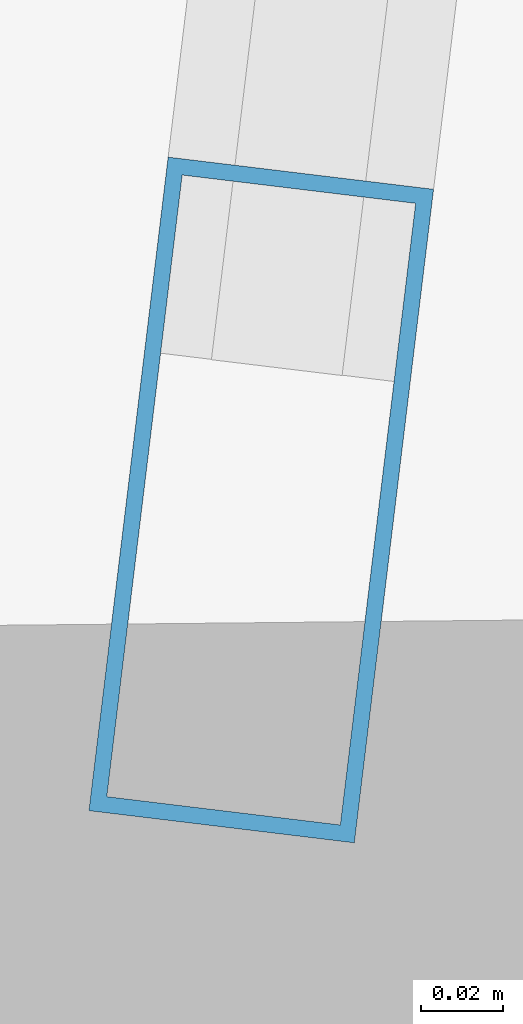
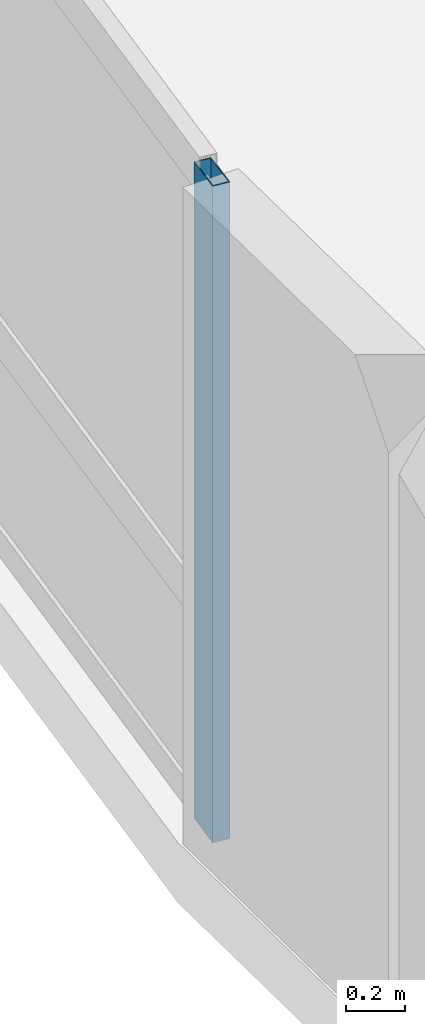
# One storey, part 2 of 26: 1 member, 1 element without a shape of its own.
"""IFC4 building model written with IfcOpenShell, lengths in metres."""

from ifc_helpers import new_model, si_unit, direction, frame, origin, origin_2d, place, context, subcontext, project, spatial, hollow_rectangle, extrude, material, layer, layer_set, material_profile, profile_set, type_object, element, aggregate, save


model = new_model("IFC4")

# Units and contexts
model_context = context("Model", 3, precision=1e-05, world=origin(), true_north=direction((0.0, 1.0)))
body_context = subcontext(model_context, "Body", "Model", "MODEL_VIEW")
ifc_project = project(units=[si_unit("LENGTHUNIT", "METRE"), si_unit("AREAUNIT", "SQUARE_METRE"), si_unit("VOLUMEUNIT", "CUBIC_METRE"), si_unit("PLANEANGLEUNIT", "RADIAN"), si_unit("MASSUNIT", "GRAM", prefix="KILO")], contexts=[model_context])

# Site, building, storey
site_placement = place(None, origin())
site = spatial("IfcSite", under=ifc_project, at=site_placement, CompositionType="ELEMENT")
building_placement = place(site_placement, origin())
building = spatial("IfcBuilding", under=site, at=building_placement, Name="Varnelok Gate Tower", CompositionType="ELEMENT")
storey_placement = place(building_placement, frame((0.0, 0.0, 129.10009765625)))
storey = spatial("IfcBuildingStorey", under=building, at=storey_placement, Name="L32", CompositionType="ELEMENT", Elevation=129.10009765625)

# Curtain wall, member
ifc_material = material(Name="Anodized Aluminum Alloy 6063-T6", Category="aluminium")
ifc_layer = layer(ifc_material, 0.179931640625)
ifc_layer_set = layer_set([ifc_layer], Name="Anodized Aluminum Alloy 6063-T6")
curtain_wall_type = type_object("IfcCurtainWallType", Name="CW3-HOTEL-VISION", PredefinedType="USERDEFINED", material=ifc_layer_set)
curtain_wall_placement = place(storey_placement, origin())
curtain_wall = element("IfcCurtainWall", 1, at=curtain_wall_placement, inside=storey, type_object=curtain_wall_type, Name="L32 West End Vision Curtain Wall", ObjectType="UNITISED CURTAIN WALL", PredefinedType="USERDEFINED")
ifc_material_profile = material_profile(ifc_material, hollow_rectangle(XDim=0.06494140625, YDim=0.159912109375, WallThickness=0.00390625, at=origin_2d()), Name="ALU160X65X4")
ifc_profile_set = profile_set([ifc_material_profile], Name="Anodized Aluminum Alloy 6063-T6")
member_type = type_object("IfcMemberType", Name="CW-MULL-160", PredefinedType="MULLION", material=ifc_profile_set)
member_placement = place(storey_placement, frame((0.2470703125, 11.923095703125, 0.0), z_axis=(0.0, 0.0, 1.0), x_axis=(-0.99273188146, 0.120347046212, 0.0)))
member = element("IfcMember", 2, at=member_placement, type_object=member_type, Name="CW3 mullion 1", PredefinedType="MULLION", context=body_context, shape_type="SweptSolid", body=[
    extrude(hollow_rectangle(XDim=0.06494140625, YDim=0.159912109375, WallThickness=0.00390625, at=origin_2d()), origin(), (0.0, 0.0, 1.0), 2.72998046875),
])
aggregate(curtain_wall, [member])

save(model, "model.ifc")
